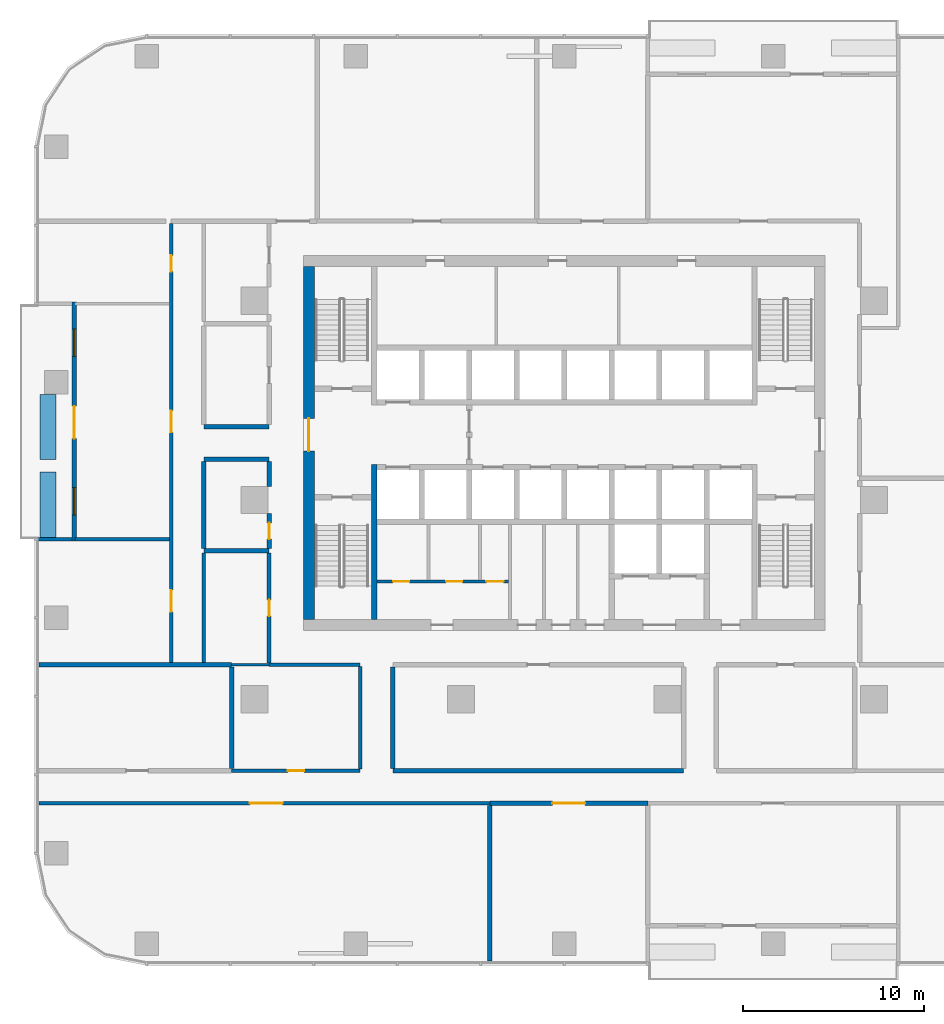
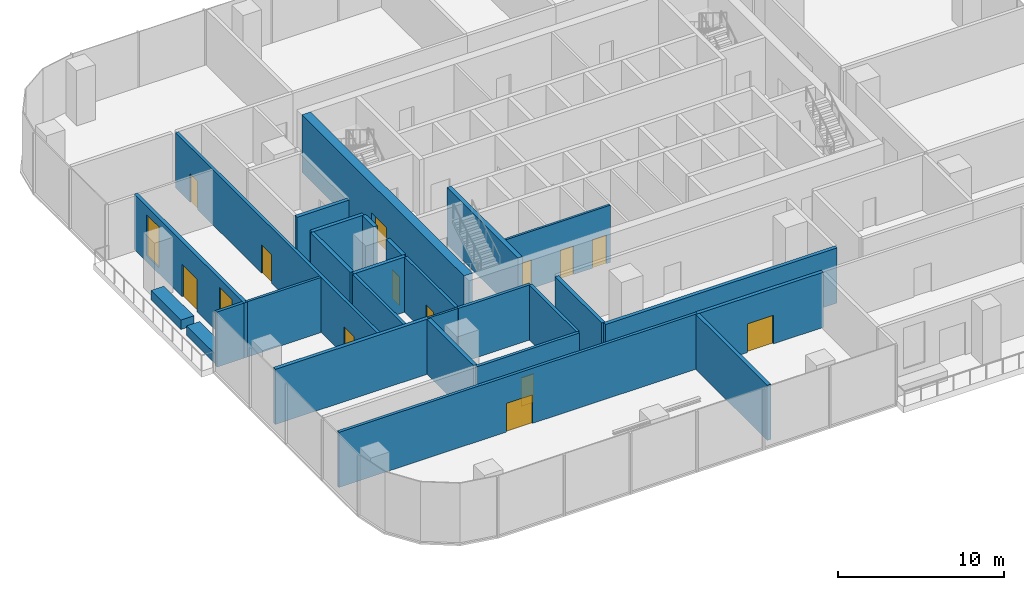
# One storey, part 7 of 15: 28 walls, 13 doors, 2 windows, 15 openings.
"""IFC4 building model written with IfcOpenShell, lengths in metres."""

from ifc_helpers import new_model, si_unit, direction, frame, frame_2d, origin, place, context, subcontext, project, spatial, rectangle, extrude, material, layer, layer_set, type_object, element, fill, save


model = new_model("IFC4")

# Units and contexts
model_context = context("Model", 3, precision=1e-05, world=origin(), true_north=direction((0.0, 1.0)))
body_context = subcontext(model_context, "Body", "Model", "MODEL_VIEW")
ifc_project = project(units=[si_unit("LENGTHUNIT", "METRE"), si_unit("AREAUNIT", "SQUARE_METRE"), si_unit("VOLUMEUNIT", "CUBIC_METRE"), si_unit("PLANEANGLEUNIT", "RADIAN"), si_unit("MASSUNIT", "GRAM", prefix="KILO")], contexts=[model_context])

# Site, building, storey
site_placement = place(None, origin())
site = spatial("IfcSite", under=ifc_project, at=site_placement, CompositionType="ELEMENT")
building_placement = place(site_placement, origin())
building = spatial("IfcBuilding", under=site, at=building_placement, Name="Mopane Tessera Tower", CompositionType="ELEMENT")
storey_placement = place(building_placement, frame((0.0, 0.0, 117.10009765625)))
storey = spatial("IfcBuildingStorey", under=building, at=storey_placement, Name="L23", CompositionType="ELEMENT", Elevation=117.10009765625)

# Wall, openings, doors
ifc_material_1 = material(Name="Fire-rated gypsum board partition")
ifc_layer_1 = layer(ifc_material_1, 0.14990234375)
ifc_layer_set_1 = layer_set([ifc_layer_1], Name="Fire-rated gypsum board partition")
wall_type_1 = type_object("IfcWallType", Name="Core room partition 150 mm", PredefinedType="PARTITIONING", material=ifc_layer_set_1)
wall_1_placement = place(storey_placement, frame((-10.35009765625, -4.5, 0.0), z_axis=(0.0, 0.0, 1.0), x_axis=(1.0, 0.0, 0.0)))
wall_1 = element("IfcWall", 1, at=wall_1_placement, inside=storey, type_object=wall_type_1, Name="L23 WC partition", PredefinedType="PARTITIONING", context=body_context, shape_type="SweptSolid", body=[
    extrude(rectangle(XDim=7.275146484375, YDim=0.14990234375, at=frame_2d((3.6376953125, 0.0))), origin(), (0.0, 0.0, 1.0), 4.199951171875),
])
opening_1_placement = place(wall_1_placement, frame((0.89990234375, 0.0, 0.0)))
opening_1 = element("IfcOpeningElement", 2, at=opening_1_placement, cuts=wall_1, Name="Opening WD1", PredefinedType="OPENING", context=body_context, shape_type="SweptSolid", body=[
    extrude(rectangle(XDim=0.89990234375, YDim=2.10009765625, at=frame_2d((0.449951171875, 1.050048828125))), frame((0.0, 0.0869140625, 0.0), z_axis=(0.0, -1.0, 0.0), x_axis=(1.0, 0.0, 0.0)), (0.0, 0.0, 1.0), 0.173828125),
])
opening_2_placement = place(wall_1_placement, frame((3.824951171875, 0.0, 0.0)))
opening_2 = element("IfcOpeningElement", 3, at=opening_2_placement, cuts=wall_1, Name="Opening WD1", PredefinedType="OPENING", context=body_context, shape_type="SweptSolid", body=[
    extrude(rectangle(XDim=0.89990234375, YDim=2.10009765625, at=frame_2d((0.449951171875, 1.050048828125))), frame((0.0, 0.0869140625, 0.0), z_axis=(0.0, -1.0, 0.0), x_axis=(1.0, 0.0, 0.0)), (0.0, 0.0, 1.0), 0.173828125),
])
opening_3_placement = place(wall_1_placement, frame((6.050048828125, 0.0, 0.0)))
opening_3 = element("IfcOpeningElement", 4, at=opening_3_placement, cuts=wall_1, Name="Opening WD2", PredefinedType="OPENING", context=body_context, shape_type="SweptSolid", body=[
    extrude(rectangle(XDim=0.949951171875, YDim=2.10009765625, at=frame_2d((0.47509765625, 1.050048828125))), frame((0.0, 0.0869140625, 0.0), z_axis=(0.0, -1.0, 0.0), x_axis=(1.0, 0.0, 0.0)), (0.0, 0.0, 1.0), 0.173828125),
])
ifc_material_2 = material(Name="Timber door", Category="wood")
door_type_1 = type_object("IfcDoorType", Name="Accessible WC door 950 x 2100", OperationType="SINGLE_SWING_LEFT", PredefinedType="DOOR", material=ifc_material_2)
door_1_placement = place(opening_3_placement, origin())
door_1 = element("IfcDoor", 5, at=door_1_placement, inside=storey, type_object=door_type_1, Name="L23 Accessible WC door", OperationType="SINGLE_SWING_LEFT", OverallHeight=2.10009765625, OverallWidth=0.949951171875, PredefinedType="DOOR", context=body_context, shape_type="SweptSolid", body=[
    extrude(rectangle(XDim=0.949951171875, YDim=2.10009765625, at=frame_2d((0.47509765625, 1.050048828125))), frame((0.0, 0.02490234375, 0.0), z_axis=(0.0, -1.0, 0.0), x_axis=(1.0, 0.0, 0.0)), (0.0, 0.0, 1.0), 0.050048828125),
])
fill(opening_3, door_1)
ifc_material_3 = material(Name="Timber door", Category="wood")
door_type_2 = type_object("IfcDoorType", Name="WC cubicle door 900 x 2100", OperationType="SINGLE_SWING_LEFT", PredefinedType="DOOR", material=ifc_material_3)
door_2_placement = place(opening_1_placement, origin())
door_2 = element("IfcDoor", 6, at=door_2_placement, inside=storey, type_object=door_type_2, Name="L23 Men's WC door", OperationType="SINGLE_SWING_LEFT", OverallHeight=2.10009765625, OverallWidth=0.89990234375, PredefinedType="DOOR", context=body_context, shape_type="SweptSolid", body=[
    extrude(rectangle(XDim=0.89990234375, YDim=2.10009765625, at=frame_2d((0.449951171875, 1.050048828125))), frame((0.0, 0.02490234375, 0.0), z_axis=(0.0, -1.0, 0.0), x_axis=(1.0, 0.0, 0.0)), (0.0, 0.0, 1.0), 0.050048828125),
])
fill(opening_1, door_2)
door_3_placement = place(opening_2_placement, origin())
door_3 = element("IfcDoor", 7, at=door_3_placement, inside=storey, type_object=door_type_2, Name="L23 Women's WC door", OperationType="SINGLE_SWING_LEFT", OverallHeight=2.10009765625, OverallWidth=0.89990234375, PredefinedType="DOOR", context=body_context, shape_type="SweptSolid", body=[
    extrude(rectangle(XDim=0.89990234375, YDim=2.10009765625, at=frame_2d((0.449951171875, 1.050048828125))), frame((0.0, 0.02490234375, 0.0), z_axis=(0.0, -1.0, 0.0), x_axis=(1.0, 0.0, 0.0)), (0.0, 0.0, 1.0), 0.050048828125),
])
fill(opening_2, door_3)

# Wall, opening, door
ifc_material_4 = material(Name="Concrete C70/85", Category="concrete")
ifc_layer_2 = layer(ifc_material_4, 0.60009765625)
ifc_layer_set_2 = layer_set([ifc_layer_2], Name="Concrete C70/85")
wall_type_2 = type_object("IfcWallType", Name="Core shear wall 600 mm", PredefinedType="SHEAR", material=ifc_layer_set_2)
wall_2_placement = place(storey_placement, frame((-14.10009765625, -6.60009765625, 0.0), z_axis=(0.0, 0.0, 1.0), x_axis=(0.0, 1.0, 0.0)))
wall_2 = element("IfcWall", 8, at=wall_2_placement, inside=storey, type_object=wall_type_2, Name="L23 Core wall west", PredefinedType="SHEAR", context=body_context, shape_type="SweptSolid", body=[
    extrude(rectangle(XDim=19.5, YDim=0.60009765625, at=frame_2d((9.75, 0.0))), origin(), (0.0, 0.0, 1.0), 4.199951171875),
])
opening_4_placement = place(wall_2_placement, frame((9.300048828125, 0.0, 0.0)))
opening_4 = element("IfcOpeningElement", 9, at=opening_4_placement, cuts=wall_2, Name="Opening SD2", PredefinedType="OPENING", context=body_context, shape_type="SweptSolid", body=[
    extrude(rectangle(XDim=1.800048828125, YDim=2.10009765625, at=frame_2d((0.89990234375, 1.050048828125))), frame((0.0, 0.31201171875, 0.0), z_axis=(0.0, -1.0, 0.0), x_axis=(1.0, 0.0, 0.0)), (0.0, 0.0, 1.0), 0.6240234375),
])
ifc_material_5 = material(Name="Steel fire door", Category="steel")
door_type_3 = type_object("IfcDoorType", Name="Core entrance double door 1800 x 2100", OperationType="DOUBLE_DOOR_SINGLE_SWING", PredefinedType="DOOR", material=ifc_material_5)
door_4_placement = place(opening_4_placement, origin())
door_4 = element("IfcDoor", 10, at=door_4_placement, inside=storey, type_object=door_type_3, Name="L23 Core entrance door west", OperationType="DOUBLE_DOOR_SINGLE_SWING", OverallHeight=2.10009765625, OverallWidth=1.800048828125, PredefinedType="DOOR", context=body_context, shape_type="SweptSolid", body=[
    extrude(rectangle(XDim=1.800048828125, YDim=2.10009765625, at=frame_2d((0.89990234375, 1.050048828125))), frame((0.0, 0.02490234375, 0.0), z_axis=(0.0, -1.0, 0.0), x_axis=(1.0, 0.0, 0.0)), (0.0, 0.0, 1.0), 0.050048828125),
])
fill(opening_4, door_4)

# Walls
ifc_material_6 = material(Name="Concrete C60/75", Category="concrete")
ifc_layer_3 = layer(ifc_material_6, 0.300048828125)
ifc_layer_set_3 = layer_set([ifc_layer_3], Name="Concrete C60/75")
wall_type_3 = type_object("IfcWallType", Name="Core spine wall 300 mm", PredefinedType="SHEAR", material=ifc_layer_set_3)
wall_3_placement = place(storey_placement, frame((-10.5, -6.60009765625, 0.0), z_axis=(0.0, 0.0, 1.0), x_axis=(0.0, 1.0, 0.0)))
element("IfcWall", 11, at=wall_3_placement, inside=storey, type_object=wall_type_3, Name="L23 Core spine wall", PredefinedType="SHEAR", context=body_context, shape_type="SweptSolid", body=[
    extrude(rectangle(XDim=8.550048828125, YDim=0.300048828125, at=frame_2d((4.27490234375, 0.0))), origin(), (0.0, 0.0, 1.0), 4.199951171875),
])
ifc_material_7 = material(Name="Gypsum board on staggered steel studs, double layer each face, acoustic mineral wool infill", Category="steel")
ifc_layer_4 = layer(ifc_material_7, 0.175048828125)
ifc_layer_set_4 = layer_set([ifc_layer_4], Name="Gypsum board on staggered steel studs, double layer each face, acoustic mineral wool infill")
wall_type_4 = type_object("IfcWallType", Name="Gypsum board acoustic partition 175, rated EI 60", PredefinedType="PARTITIONING", material=ifc_layer_set_4)
wall_4_placement = place(storey_placement, frame((-27.0, -2.1650390625, 0.0), z_axis=(0.0, 0.0, 1.0), x_axis=(1.0, 0.0, 0.0)))
element("IfcWall", 12, at=wall_4_placement, inside=storey, type_object=wall_type_4, Name="Partition L23:015", PredefinedType="PARTITIONING", context=body_context, shape_type="SweptSolid", body=[
    extrude(rectangle(XDim=5.199951171875, YDim=0.175048828125, at=frame_2d((2.60009765625, 0.0))), origin(), (0.0, 0.0, 1.0), 4.0498046875),
])

# Wall, opening, door
ifc_material_8 = material(Name="Gypsum board on steel studs, two layers each face, mineral wool infill", Category="steel")
ifc_layer_5 = layer(ifc_material_8, 0.199951171875)
ifc_layer_set_5 = layer_set([ifc_layer_5], Name="Gypsum board on steel studs, two layers each face, mineral wool infill")
wall_type_5 = type_object("IfcWallType", Name="Gypsum board corridor wall 200, rated EI 60", PredefinedType="PARTITIONING", material=ifc_layer_set_5)
wall_5_placement = place(storey_placement, frame((-29.0, -16.75, 0.0), z_axis=(0.0, 0.0, 1.0), x_axis=(1.0, 0.0, 0.0)))
wall_5 = element("IfcWall", 13, at=wall_5_placement, inside=storey, type_object=wall_type_5, Name="Partition L23:000", PredefinedType="PARTITIONING", context=body_context, shape_type="SweptSolid", body=[
    extrude(rectangle(XDim=24.885009765625, YDim=0.199951171875, at=frame_2d((12.4423828125, 0.0))), origin(), (0.0, 0.0, 1.0), 4.0498046875),
])
opening_5_placement = place(wall_5_placement, frame((11.642578125, 0.0, 0.0)))
opening_5 = element("IfcOpeningElement", 14, at=opening_5_placement, cuts=wall_5, Name="Opening L23-08", PredefinedType="OPENING", context=body_context, shape_type="SweptSolid", body=[
    extrude(rectangle(XDim=1.800048828125, YDim=2.10009765625, at=frame_2d((0.89990234375, 1.050048828125))), frame((0.0, 0.112060546875, 0.0), z_axis=(0.0, -1.0, 0.0), x_axis=(1.0, 0.0, 0.0)), (0.0, 0.0, 1.0), 0.223876953125),
])
ifc_material_9 = material(Name="Timber veneered steel-framed fire door", Category="steel")
door_type_4 = type_object("IfcDoorType", Name="Fire door pair FD60 1800 x 2100", OperationType="DOUBLE_DOOR_SINGLE_SWING", PredefinedType="DOOR", material=ifc_material_9)
door_5_placement = place(opening_5_placement, origin())
door_5 = element("IfcDoor", 15, at=door_5_placement, inside=storey, type_object=door_type_4, Name="Door L23-08", ObjectType="D20A", OperationType="DOUBLE_DOOR_SINGLE_SWING", OverallHeight=2.10009765625, OverallWidth=1.800048828125, PredefinedType="DOOR", context=body_context, shape_type="SweptSolid", body=[
    extrude(rectangle(XDim=1.800048828125, YDim=2.10009765625, at=frame_2d((0.89990234375, 1.050048828125))), frame((0.0, 0.02490234375, 0.0), z_axis=(0.0, -1.0, 0.0), x_axis=(1.0, 0.0, 0.0)), (0.0, 0.0, 1.0), 0.050048828125),
])
fill(opening_5, door_5)

wall_6_placement = place(storey_placement, frame((-18.364990234375, -14.949951171875, 0.0), z_axis=(0.0, 0.0, 1.0), x_axis=(1.0, 0.0, 0.0)))
wall_6 = element("IfcWall", 16, at=wall_6_placement, inside=storey, type_object=wall_type_5, Name="Partition L23:003", PredefinedType="PARTITIONING", context=body_context, shape_type="SweptSolid", body=[
    extrude(rectangle(XDim=7.094970703125, YDim=0.199951171875, at=frame_2d((3.54736328125, 0.0))), origin(), (0.0, 0.0, 1.0), 4.0498046875),
])
opening_6_placement = place(wall_6_placement, frame((3.097412109375, 0.0, 0.0)))
opening_6 = element("IfcOpeningElement", 17, at=opening_6_placement, cuts=wall_6, Name="Opening L23-14", PredefinedType="OPENING", context=body_context, shape_type="SweptSolid", body=[
    extrude(rectangle(XDim=0.89990234375, YDim=2.10009765625, at=frame_2d((0.449951171875, 1.050048828125))), frame((0.0, 0.112060546875, 0.0), z_axis=(0.0, -1.0, 0.0), x_axis=(1.0, 0.0, 0.0)), (0.0, 0.0, 1.0), 0.223876953125),
])
ifc_material_10 = material(Name="Timber veneered steel-framed fire door", Category="steel")
door_type_5 = type_object("IfcDoorType", Name="Fire door FD60 900 x 2100", OperationType="SINGLE_SWING_LEFT", PredefinedType="DOOR", material=ifc_material_10)
door_6_placement = place(opening_6_placement, origin())
door_6 = element("IfcDoor", 18, at=door_6_placement, inside=storey, type_object=door_type_5, Name="Door L23-14", ObjectType="D10A", OperationType="SINGLE_SWING_LEFT", OverallHeight=2.10009765625, OverallWidth=0.89990234375, PredefinedType="DOOR", context=body_context, shape_type="SweptSolid", body=[
    extrude(rectangle(XDim=0.89990234375, YDim=2.10009765625, at=frame_2d((0.449951171875, 1.050048828125))), frame((0.0, 0.02490234375, 0.0), z_axis=(0.0, -1.0, 0.0), x_axis=(1.0, 0.0, 0.0)), (0.0, 0.0, 1.0), 0.050048828125),
])
fill(opening_6, door_6)

# Wall
wall_7_placement = place(storey_placement, frame((-16.300048828125, -9.10009765625, 0.0), z_axis=(0.0, 0.0, 1.0), x_axis=(1.0, 0.0, 0.0)))
element("IfcWall", 19, at=wall_7_placement, inside=storey, type_object=wall_type_5, Name="Partition L23:009", PredefinedType="PARTITIONING", context=body_context, shape_type="SweptSolid", body=[
    extrude(rectangle(XDim=5.030029296875, YDim=0.199951171875, at=frame_2d((2.51513671875, 0.0))), origin(), (0.0, 0.0, 1.0), 4.0498046875),
])

# Wall, openings, doors
wall_8_placement = place(storey_placement, frame((-21.699951171875, -8.97509765625, 0.0), z_axis=(0.0, 0.0, 1.0), x_axis=(0.0, 1.0, 0.0)))
wall_8 = element("IfcWall", 20, at=wall_8_placement, inside=storey, type_object=wall_type_5, Name="Partition L23:027", PredefinedType="PARTITIONING", context=body_context, shape_type="SweptSolid", body=[
    extrude(rectangle(XDim=24.25, YDim=0.199951171875, at=frame_2d((12.125, 0.0))), origin(), (0.0, 0.0, 1.0), 4.0498046875),
])
opening_7_placement = place(wall_8_placement, frame((2.804931640625, 0.0, 0.0)))
opening_7 = element("IfcOpeningElement", 21, at=opening_7_placement, cuts=wall_8, Name="Opening L23-03", PredefinedType="OPENING", context=body_context, shape_type="SweptSolid", body=[
    extrude(rectangle(XDim=1.199951171875, YDim=2.10009765625, at=frame_2d((0.60009765625, 1.050048828125))), frame((0.0, 0.112060546875, 0.0), z_axis=(0.0, -1.0, 0.0), x_axis=(1.0, 0.0, 0.0)), (0.0, 0.0, 1.0), 0.223876953125),
])
opening_8_placement = place(wall_8_placement, frame((21.580078125, 0.0, 0.0)))
opening_8 = element("IfcOpeningElement", 22, at=opening_8_placement, cuts=wall_8, Name="Opening L23-07", PredefinedType="OPENING", context=body_context, shape_type="SweptSolid", body=[
    extrude(rectangle(XDim=0.89990234375, YDim=2.10009765625, at=frame_2d((0.449951171875, 1.050048828125))), frame((0.0, 0.112060546875, 0.0), z_axis=(0.0, -1.0, 0.0), x_axis=(1.0, 0.0, 0.0)), (0.0, 0.0, 1.0), 0.223876953125),
])
opening_9_placement = place(wall_8_placement, frame((12.7099609375, 0.0, 0.0)))
opening_9 = element("IfcOpeningElement", 23, at=opening_9_placement, cuts=wall_8, Name="Opening L23-16", PredefinedType="OPENING", context=body_context, shape_type="SweptSolid", body=[
    extrude(rectangle(XDim=1.199951171875, YDim=2.10009765625, at=frame_2d((0.60009765625, 1.050048828125))), frame((0.0, 0.112060546875, 0.0), z_axis=(0.0, -1.0, 0.0), x_axis=(1.0, 0.0, 0.0)), (0.0, 0.0, 1.0), 0.223876953125),
])
ifc_material_11 = material(Name="Timber veneered steel-framed fire door", Category="steel")
door_type_6 = type_object("IfcDoorType", Name="Fire door FD60 1200 x 2100", OperationType="SINGLE_SWING_LEFT", PredefinedType="DOOR", material=ifc_material_11)
door_7_placement = place(opening_7_placement, origin())
door_7 = element("IfcDoor", 24, at=door_7_placement, inside=storey, type_object=door_type_6, Name="Door L23-03", ObjectType="D15A", OperationType="SINGLE_SWING_RIGHT", OverallHeight=2.10009765625, OverallWidth=1.199951171875, PredefinedType="DOOR", context=body_context, shape_type="SweptSolid", body=[
    extrude(rectangle(XDim=1.199951171875, YDim=2.10009765625, at=frame_2d((0.60009765625, 1.050048828125))), frame((0.0, 0.02490234375, 0.0), z_axis=(0.0, -1.0, 0.0), x_axis=(1.0, 0.0, 0.0)), (0.0, 0.0, 1.0), 0.050048828125),
])
fill(opening_7, door_7)
door_8_placement = place(opening_9_placement, origin())
door_8 = element("IfcDoor", 25, at=door_8_placement, inside=storey, type_object=door_type_6, Name="Door L23-16", ObjectType="D15A", OperationType="SINGLE_SWING_LEFT", OverallHeight=2.10009765625, OverallWidth=1.199951171875, PredefinedType="DOOR", context=body_context, shape_type="SweptSolid", body=[
    extrude(rectangle(XDim=1.199951171875, YDim=2.10009765625, at=frame_2d((0.60009765625, 1.050048828125))), frame((0.0, 0.02490234375, 0.0), z_axis=(0.0, -1.0, 0.0), x_axis=(1.0, 0.0, 0.0)), (0.0, 0.0, 1.0), 0.050048828125),
])
fill(opening_9, door_8)
door_9_placement = place(opening_8_placement, origin())
door_9 = element("IfcDoor", 26, at=door_9_placement, inside=storey, type_object=door_type_5, Name="Door L23-07", ObjectType="D10A", OperationType="SINGLE_SWING_RIGHT", OverallHeight=2.10009765625, OverallWidth=0.89990234375, PredefinedType="DOOR", context=body_context, shape_type="SweptSolid", body=[
    extrude(rectangle(XDim=0.89990234375, YDim=2.10009765625, at=frame_2d((0.449951171875, 1.050048828125))), frame((0.0, 0.02490234375, 0.0), z_axis=(0.0, -1.0, 0.0), x_axis=(1.0, 0.0, 0.0)), (0.0, 0.0, 1.0), 0.050048828125),
])
fill(opening_8, door_9)

# Wall
wall_9_placement = place(storey_placement, frame((-19.89990234375, -8.97509765625, 0.0), z_axis=(0.0, 0.0, 1.0), x_axis=(0.0, 1.0, 0.0)))
element("IfcWall", 27, at=wall_9_placement, inside=storey, type_object=wall_type_5, Name="Partition L23:028", PredefinedType="PARTITIONING", context=body_context, shape_type="SweptSolid", body=[
    extrude(rectangle(XDim=6.06005859375, YDim=0.199951171875, at=frame_2d((3.030029296875, 0.0))), origin(), (0.0, 0.0, 1.0), 4.0498046875),
])

# Wall, opening, door
wall_10_placement = place(storey_placement, frame((-16.300048828125, -9.0, 0.0), z_axis=(0.0, 0.0, 1.0), x_axis=(0.0, 1.0, 0.0)))
wall_10 = element("IfcWall", 28, at=wall_10_placement, inside=storey, type_object=wall_type_5, Name="Partition L23:033", PredefinedType="PARTITIONING", context=body_context, shape_type="SweptSolid", body=[
    extrude(rectangle(XDim=6.0849609375, YDim=0.199951171875, at=frame_2d((3.04248046875, 0.0))), origin(), (0.0, 0.0, 1.0), 4.0498046875),
])
opening_10_placement = place(wall_10_placement, frame((2.592529296875, 0.0, 0.0)))
opening_10 = element("IfcOpeningElement", 29, at=opening_10_placement, cuts=wall_10, Name="Opening L23-13", PredefinedType="OPENING", context=body_context, shape_type="SweptSolid", body=[
    extrude(rectangle(XDim=0.89990234375, YDim=2.10009765625, at=frame_2d((0.449951171875, 1.050048828125))), frame((0.0, 0.112060546875, 0.0), z_axis=(0.0, -1.0, 0.0), x_axis=(1.0, 0.0, 0.0)), (0.0, 0.0, 1.0), 0.223876953125),
])
door_10_placement = place(opening_10_placement, origin())
door_10 = element("IfcDoor", 30, at=door_10_placement, inside=storey, type_object=door_type_5, Name="Door L23-13", ObjectType="D10A", OperationType="SINGLE_SWING_RIGHT", OverallHeight=2.10009765625, OverallWidth=0.89990234375, PredefinedType="DOOR", context=body_context, shape_type="SweptSolid", body=[
    extrude(rectangle(XDim=0.89990234375, YDim=2.10009765625, at=frame_2d((0.449951171875, 1.050048828125))), frame((0.0, 0.02490234375, 0.0), z_axis=(0.0, -1.0, 0.0), x_axis=(1.0, 0.0, 0.0)), (0.0, 0.0, 1.0), 0.050048828125),
])
fill(opening_10, door_10)

# Walls
wall_11_placement = place(storey_placement, frame((-11.27001953125, -14.85009765625, 0.0), z_axis=(0.0, 0.0, 1.0), x_axis=(0.0, 1.0, 0.0)))
element("IfcWall", 31, at=wall_11_placement, inside=storey, type_object=wall_type_5, Name="Partition L23:040", PredefinedType="PARTITIONING", context=body_context, shape_type="SweptSolid", body=[
    extrude(rectangle(XDim=5.650146484375, YDim=0.199951171875, at=frame_2d((2.8251953125, 0.0))), origin(), (0.0, 0.0, 1.0), 4.0498046875),
])
ifc_material_12 = material(Name="Gypsum board on steel studs, mineral wool infill", Category="steel")
ifc_layer_6 = layer(ifc_material_12, 0.14990234375)
ifc_layer_set_6 = layer_set([ifc_layer_6], Name="Gypsum board on steel studs, mineral wool infill")
wall_type_6 = type_object("IfcWallType", Name="Gypsum board partition 150, rated EI 60", PredefinedType="PARTITIONING", material=ifc_layer_set_6)
wall_12_placement = place(storey_placement, frame((-18.364990234375, -9.10009765625, 0.0), z_axis=(0.0, 0.0, 1.0), x_axis=(1.0, 0.0, 0.0)))
element("IfcWall", 32, at=wall_12_placement, inside=storey, type_object=wall_type_6, Name="Partition L23:008", PredefinedType="PARTITIONING", context=body_context, shape_type="SweptSolid", body=[
    extrude(rectangle(XDim=2.06494140625, YDim=0.14990234375, at=frame_2d((1.032470703125, 0.0))), origin(), (0.0, 0.0, 1.0), 4.0498046875),
])
ifc_material_13 = material(Name="Reinforced concrete C32/40 with waterproofing", Category="concrete")
ifc_layer_7 = layer(ifc_material_13, 0.89990234375)
ifc_layer_set_7 = layer_set([ifc_layer_7], Name="Reinforced concrete C32/40 with waterproofing")
wall_type_7 = type_object("IfcWallType", Name="Planter trough 3600 x 900", PredefinedType="STANDARD", material=ifc_layer_set_7)
for number, where, z_axis, x_axis, name in (
    (33, (-28.5, 5.830078125, 0.0), (0.0, 0.0, 1.0), (0.0, -1.0, 0.0), "e:nw:L23:N2:pl0"),
    (34, (-28.5, 1.533447265625, 0.0), (0.0, 0.0, 1.0), (0.0, -1.0, 0.0), "e:nw:L23:N2:pl1"),
):
    element("IfcWall", number, at=place(storey_placement, frame(where, z_axis=z_axis, x_axis=x_axis)), inside=storey, type_object=wall_type_7, Name=name, PredefinedType="STANDARD", context=body_context, shape_type="SweptSolid", body=[
        extrude(rectangle(XDim=3.60009765625, YDim=0.89990234375, at=frame_2d((1.800048828125, 0.0))), origin(), (0.0, 0.0, 1.0), 0.699951171875),
    ])

# Wall, opening, door
ifc_material_14 = material(Name="Plastered concrete blockwork C20/25", Category="masonry")
ifc_layer_8 = layer(ifc_material_14, 0.25)
ifc_layer_set_8 = layer_set([ifc_layer_8], Name="Plastered concrete blockwork C20/25")
wall_type_8 = type_object("IfcWallType", Name="Plastered blockwork wall 250, rated EI 120", PredefinedType="PARTITIONING", material=ifc_layer_set_8)
wall_13_placement = place(storey_placement, frame((-4.114990234375, -16.75, 0.0), z_axis=(0.0, 0.0, 1.0), x_axis=(1.0, 0.0, 0.0)))
wall_13 = element("IfcWall", 35, at=wall_13_placement, inside=storey, type_object=wall_type_8, Name="Partition L23:002", PredefinedType="PARTITIONING", context=body_context, shape_type="SweptSolid", body=[
    extrude(rectangle(XDim=8.72509765625, YDim=0.25, at=frame_2d((4.362548828125, 0.0))), origin(), (0.0, 0.0, 1.0), 4.0498046875),
])
opening_11_placement = place(wall_13_placement, frame((3.46240234375, 0.0, 0.0)))
opening_11 = element("IfcOpeningElement", 36, at=opening_11_placement, cuts=wall_13, Name="Opening L23-22", PredefinedType="OPENING", context=body_context, shape_type="SweptSolid", body=[
    extrude(rectangle(XDim=1.800048828125, YDim=2.10009765625, at=frame_2d((0.89990234375, 1.050048828125))), frame((0.0, 0.136962890625, 0.0), z_axis=(0.0, -1.0, 0.0), x_axis=(1.0, 0.0, 0.0)), (0.0, 0.0, 1.0), 0.27392578125),
])
ifc_material_15 = material(Name="Timber veneered steel-framed fire door", Category="steel")
door_type_7 = type_object("IfcDoorType", Name="Fire door pair FD120 1800 x 2100", OperationType="DOUBLE_DOOR_SINGLE_SWING", PredefinedType="DOOR", material=ifc_material_15)
door_11_placement = place(opening_11_placement, origin())
door_11 = element("IfcDoor", 37, at=door_11_placement, inside=storey, type_object=door_type_7, Name="Door L23-22", ObjectType="D20B", OperationType="DOUBLE_DOOR_SINGLE_SWING", OverallHeight=2.10009765625, OverallWidth=1.800048828125, PredefinedType="DOOR", context=body_context, shape_type="SweptSolid", body=[
    extrude(rectangle(XDim=1.800048828125, YDim=2.10009765625, at=frame_2d((0.89990234375, 1.050048828125))), frame((0.0, 0.02490234375, 0.0), z_axis=(0.0, -1.0, 0.0), x_axis=(1.0, 0.0, 0.0)), (0.0, 0.0, 1.0), 0.050048828125),
])
fill(opening_11, door_11)

# Walls
wall_14_placement = place(storey_placement, frame((-9.469970703125, -14.949951171875, 0.0), z_axis=(0.0, 0.0, 1.0), x_axis=(1.0, 0.0, 0.0)))
element("IfcWall", 38, at=wall_14_placement, inside=storey, type_object=wall_type_8, Name="Partition L23:006", PredefinedType="PARTITIONING", context=body_context, shape_type="SweptSolid", body=[
    extrude(rectangle(XDim=16.06005859375, YDim=0.25, at=frame_2d((8.030029296875, 0.0))), origin(), (0.0, 0.0, 1.0), 4.0498046875),
])
wall_15_placement = place(storey_placement, frame((-29.0, -9.10009765625, 0.0), z_axis=(0.0, 0.0, 1.0), x_axis=(1.0, 0.0, 0.0)))
element("IfcWall", 39, at=wall_15_placement, inside=storey, type_object=wall_type_8, Name="Partition L23:010", PredefinedType="PARTITIONING", context=body_context, shape_type="SweptSolid", body=[
    extrude(rectangle(XDim=10.635009765625, YDim=0.25, at=frame_2d((5.3173828125, 0.0))), origin(), (0.0, 0.0, 1.0), 4.0498046875),
])
for number, where, z_axis, x_axis, name in (
    (40, (-19.89990234375, -2.7900390625, 0.0), (0.0, 0.0, 1.0), (1.0, 0.0, 0.0), "Partition L23:014"),
    (41, (-19.89990234375, 2.25, 0.0), (0.0, 0.0, 1.0), (1.0, 0.0, 0.0), "Partition L23:017"),
    (42, (-19.89990234375, 4.050048828125, 0.0), (0.0, 0.0, 1.0), (1.0, 0.0, 0.0), "Partition L23:018"),
):
    element("IfcWall", number, at=place(storey_placement, frame(where, z_axis=z_axis, x_axis=x_axis)), inside=storey, type_object=wall_type_8, Name=name, PredefinedType="PARTITIONING", context=body_context, shape_type="SweptSolid", body=[
        extrude(rectangle(XDim=3.599853515625, YDim=0.25, at=frame_2d((1.7998046875, 0.0))), origin(), (0.0, 0.0, 1.0), 4.0498046875),
    ])
wall_16_placement = place(storey_placement, frame((-19.89990234375, -2.6650390625, 0.0), z_axis=(0.0, 0.0, 1.0), x_axis=(0.0, 1.0, 0.0)))
element("IfcWall", 43, at=wall_16_placement, inside=storey, type_object=wall_type_8, Name="Partition L23:030", PredefinedType="PARTITIONING", context=body_context, shape_type="SweptSolid", body=[
    extrude(rectangle(XDim=4.7900390625, YDim=0.25, at=frame_2d((2.39501953125, 0.0))), origin(), (0.0, 0.0, 1.0), 4.0498046875),
])
wall_17_placement = place(storey_placement, frame((-18.364990234375, -14.824951171875, 0.0), z_axis=(0.0, 0.0, 1.0), x_axis=(0.0, 1.0, 0.0)))
element("IfcWall", 44, at=wall_17_placement, inside=storey, type_object=wall_type_8, Name="Partition L23:032", PredefinedType="PARTITIONING", context=body_context, shape_type="SweptSolid", body=[
    extrude(rectangle(XDim=5.599853515625, YDim=0.25, at=frame_2d((2.7998046875, 0.0))), origin(), (0.0, 0.0, 1.0), 4.0498046875),
])

# Wall, opening, door
wall_18_placement = place(storey_placement, frame((-16.300048828125, -2.6650390625, 0.0), z_axis=(0.0, 0.0, 1.0), x_axis=(0.0, 1.0, 0.0)))
wall_18 = element("IfcWall", 45, at=wall_18_placement, inside=storey, type_object=wall_type_8, Name="Partition L23:036", PredefinedType="PARTITIONING", context=body_context, shape_type="SweptSolid", body=[
    extrude(rectangle(XDim=1.9150390625, YDim=0.25, at=frame_2d((0.95751953125, 0.0))), origin(), (0.0, 0.0, 1.0), 4.0498046875),
])
opening_12_placement = place(wall_18_placement, frame((0.507568359375, 0.0, 0.0)))
opening_12 = element("IfcOpeningElement", 46, at=opening_12_placement, cuts=wall_18, Name="Opening L23-15", PredefinedType="OPENING", context=body_context, shape_type="SweptSolid", body=[
    extrude(rectangle(XDim=0.89990234375, YDim=2.10009765625, at=frame_2d((0.449951171875, 1.050048828125))), frame((0.0, 0.136962890625, 0.0), z_axis=(0.0, -1.0, 0.0), x_axis=(1.0, 0.0, 0.0)), (0.0, 0.0, 1.0), 0.27392578125),
])
ifc_material_16 = material(Name="Timber veneered steel-framed fire door", Category="steel")
door_type_8 = type_object("IfcDoorType", Name="Fire door FD120 900 x 2100", OperationType="SINGLE_SWING_LEFT", PredefinedType="DOOR", material=ifc_material_16)
door_12_placement = place(opening_12_placement, origin())
door_12 = element("IfcDoor", 47, at=door_12_placement, inside=storey, type_object=door_type_8, Name="Door L23-15", ObjectType="D10B", OperationType="SINGLE_SWING_LEFT", OverallHeight=2.10009765625, OverallWidth=0.89990234375, PredefinedType="DOOR", context=body_context, shape_type="SweptSolid", body=[
    extrude(rectangle(XDim=0.89990234375, YDim=2.10009765625, at=frame_2d((0.449951171875, 1.050048828125))), frame((0.0, 0.02490234375, 0.0), z_axis=(0.0, -1.0, 0.0), x_axis=(1.0, 0.0, 0.0)), (0.0, 0.0, 1.0), 0.050048828125),
])
fill(opening_12, door_12)

# Walls
wall_19_placement = place(storey_placement, frame((-16.300048828125, 0.75, 0.0), z_axis=(0.0, 0.0, 1.0), x_axis=(0.0, 1.0, 0.0)))
element("IfcWall", 48, at=wall_19_placement, inside=storey, type_object=wall_type_8, Name="Partition L23:037", PredefinedType="PARTITIONING", context=body_context, shape_type="SweptSolid", body=[
    extrude(rectangle(XDim=1.375, YDim=0.25, at=frame_2d((0.6875, 0.0))), origin(), (0.0, 0.0, 1.0), 4.0498046875),
])
wall_20_placement = place(storey_placement, frame((-9.469970703125, -14.824951171875, 0.0), z_axis=(0.0, 0.0, 1.0), x_axis=(0.0, 1.0, 0.0)))
element("IfcWall", 49, at=wall_20_placement, inside=storey, type_object=wall_type_8, Name="Partition L23:041", PredefinedType="PARTITIONING", context=body_context, shape_type="SweptSolid", body=[
    extrude(rectangle(XDim=5.599853515625, YDim=0.25, at=frame_2d((2.7998046875, 0.0))), origin(), (0.0, 0.0, 1.0), 4.0498046875),
])
wall_21_placement = place(storey_placement, frame((-4.114990234375, -25.449951171875, 0.0), z_axis=(0.0, 0.0, 1.0), x_axis=(0.0, 1.0, 0.0)))
element("IfcWall", 50, at=wall_21_placement, inside=storey, type_object=wall_type_8, Name="Partition L23:042", PredefinedType="PARTITIONING", context=body_context, shape_type="SweptSolid", body=[
    extrude(rectangle(XDim=8.574951171875, YDim=0.25, at=frame_2d((4.28759765625, 0.0))), origin(), (0.0, 0.0, 1.0), 4.0498046875),
])
ifc_material_17 = material(Name="Blockwork with glazed tile facing", Category="masonry")
ifc_layer_9 = layer(ifc_material_17, 0.199951171875)
ifc_layer_set_9 = layer_set([ifc_layer_9], Name="Blockwork with glazed tile facing")
wall_type_9 = type_object("IfcWallType", Name="Terrace cheek wall 200", PredefinedType="STANDARD", material=ifc_layer_set_9)
wall_22_placement = place(storey_placement, frame((-29.050048828125, -2.166748046875, 0.0), z_axis=(0.0, 0.0, 1.0), x_axis=(1.0, 0.0, 0.0)))
element("IfcWall", 51, at=wall_22_placement, inside=storey, type_object=wall_type_9, Name="e:nw:L23:N2:cheekb", PredefinedType="STANDARD", context=body_context, shape_type="SweptSolid", body=[
    extrude(rectangle(XDim=1.875, YDim=0.199951171875, at=frame_2d((0.9375, 0.0))), origin(), (0.0, 0.0, 1.0), 4.0498046875),
])

# Wall, openings, windows, door
ifc_material_18 = material(Name="Blockwork with turquoise glazed tile facing", Category="masonry")
ifc_layer_10 = layer(ifc_material_18, 0.25)
ifc_layer_set_10 = layer_set([ifc_layer_10], Name="Blockwork with turquoise glazed tile facing")
wall_type_10 = type_object("IfcWallType", Name="Tile-clad external wall 250, turquoise", PredefinedType="STANDARD", material=ifc_layer_set_10)
wall_23_placement = place(storey_placement, frame((-27.050048828125, 10.933349609375, 0.0), z_axis=(0.0, 0.0, 1.0), x_axis=(0.0, -1.0, 0.0)))
wall_23 = element("IfcWall", 52, at=wall_23_placement, inside=storey, type_object=wall_type_10, Name="e:nw:L23:N2:back", PredefinedType="STANDARD", context=body_context, shape_type="SweptSolid", body=[
    extrude(rectangle(XDim=13.199951171875, YDim=0.25, at=frame_2d((6.60009765625, 0.0))), origin(), (0.0, 0.0, 1.0), 4.0498046875),
])
opening_13_placement = place(wall_23_placement, frame((1.5, 0.0, 0.449951171875)))
opening_13 = element("IfcOpeningElement", 53, at=opening_13_placement, cuts=wall_23, Name="Opening NW232A", PredefinedType="OPENING", context=body_context, shape_type="SweptSolid", body=[
    extrude(rectangle(XDim=1.5, YDim=3.0, at=frame_2d((0.75, 1.5))), frame((0.0, 0.136962890625, 0.0), z_axis=(0.0, -1.0, 0.0), x_axis=(1.0, 0.0, 0.0)), (0.0, 0.0, 1.0), 0.27392578125),
])
opening_14_placement = place(wall_23_placement, frame((5.75, 0.0, 0.0)))
opening_14 = element("IfcOpeningElement", 54, at=opening_14_placement, cuts=wall_23, Name="Opening ND232", PredefinedType="OPENING", context=body_context, shape_type="SweptSolid", body=[
    extrude(rectangle(XDim=1.800048828125, YDim=2.39990234375, at=frame_2d((0.89990234375, 1.199951171875))), frame((0.0, 0.136962890625, 0.0), z_axis=(0.0, -1.0, 0.0), x_axis=(1.0, 0.0, 0.0)), (0.0, 0.0, 1.0), 0.27392578125),
])
opening_15_placement = place(wall_23_placement, frame((10.25, 0.0, 0.449951171875)))
opening_15 = element("IfcOpeningElement", 55, at=opening_15_placement, cuts=wall_23, Name="Opening NW232B", PredefinedType="OPENING", context=body_context, shape_type="SweptSolid", body=[
    extrude(rectangle(XDim=1.5, YDim=3.0, at=frame_2d((0.75, 1.5))), frame((0.0, 0.136962890625, 0.0), z_axis=(0.0, -1.0, 0.0), x_axis=(1.0, 0.0, 0.0)), (0.0, 0.0, 1.0), 0.27392578125),
])
ifc_material_19 = material(Name="Clear laminated glass", Category="glass")
window_type = type_object("IfcWindowType", Name="Fixed window 1500 x 3000", PartitioningType="SINGLE_PANEL", PredefinedType="WINDOW", material=ifc_material_19)
window_1_placement = place(opening_13_placement, origin())
window_1 = element("IfcWindow", 56, at=window_1_placement, inside=storey, type_object=window_type, Name="e:nw:L23:N2:win0", OverallHeight=3.0, OverallWidth=1.5, PartitioningType="SINGLE_PANEL", PredefinedType="WINDOW", context=body_context, shape_type="SweptSolid", body=[
    extrude(rectangle(XDim=1.5, YDim=3.0, at=frame_2d((0.75, 1.5))), frame((0.0, 0.030029296875, 0.0), z_axis=(0.0, -1.0, 0.0), x_axis=(1.0, 0.0, 0.0)), (0.0, 0.0, 1.0), 0.06005859375),
])
fill(opening_13, window_1)
window_2_placement = place(opening_15_placement, origin())
window_2 = element("IfcWindow", 57, at=window_2_placement, inside=storey, type_object=window_type, Name="e:nw:L23:N2:win2", OverallHeight=3.0, OverallWidth=1.5, PartitioningType="SINGLE_PANEL", PredefinedType="WINDOW", context=body_context, shape_type="SweptSolid", body=[
    extrude(rectangle(XDim=1.5, YDim=3.0, at=frame_2d((0.75, 1.5))), frame((0.0, 0.030029296875, 0.0), z_axis=(0.0, -1.0, 0.0), x_axis=(1.0, 0.0, 0.0)), (0.0, 0.0, 1.0), 0.06005859375),
])
fill(opening_15, window_2)
ifc_material_20 = material(Name="Aluminium and clear glass", Category="aluminium")
door_type_9 = type_object("IfcDoorType", Name="Terrace double door 1800 x 2400", OperationType="DOUBLE_DOOR_SINGLE_SWING", PredefinedType="DOOR", material=ifc_material_20)
door_13_placement = place(opening_14_placement, origin())
door_13 = element("IfcDoor", 58, at=door_13_placement, inside=storey, type_object=door_type_9, Name="e:nw:L23:N2:door", ObjectType="D1", OperationType="DOUBLE_DOOR_SINGLE_SWING", OverallHeight=2.39990234375, OverallWidth=1.800048828125, PredefinedType="DOOR", context=body_context, shape_type="SweptSolid", body=[
    extrude(rectangle(XDim=1.800048828125, YDim=2.39990234375, at=frame_2d((0.89990234375, 1.199951171875))), frame((0.0, 0.02490234375, 0.0), z_axis=(0.0, -1.0, 0.0), x_axis=(1.0, 0.0, 0.0)), (0.0, 0.0, 1.0), 0.050048828125),
])
fill(opening_14, door_13)

save(model, "model.ifc")
